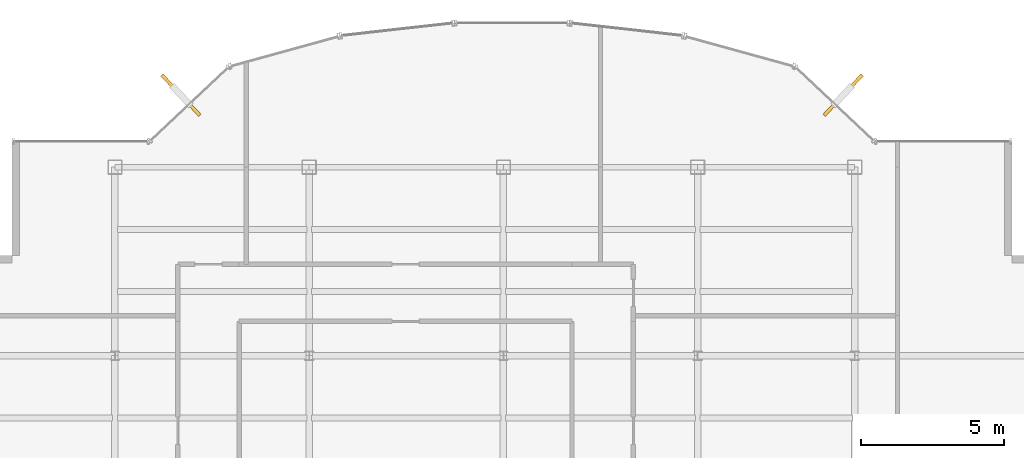
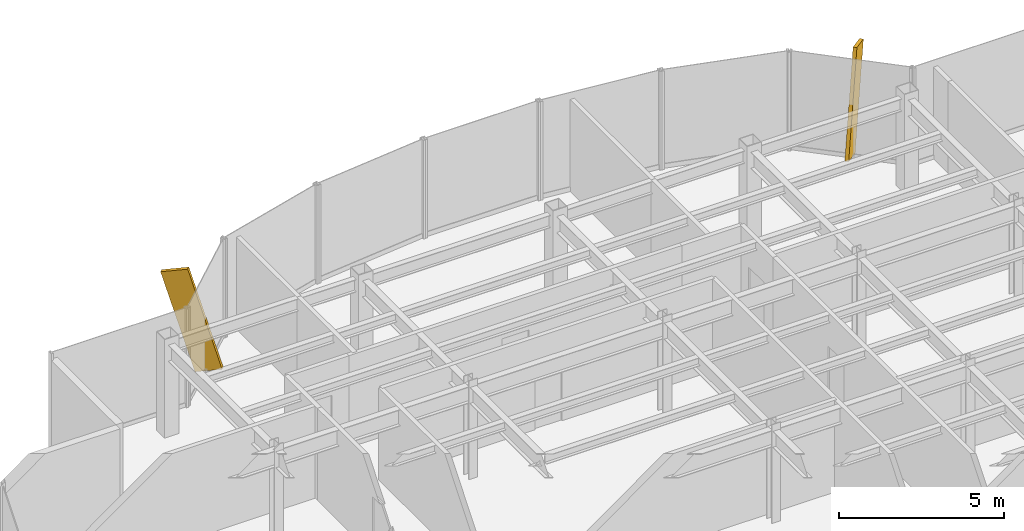
# One storey, part 21 of 22: 2 shading devices.
"""IFC4 building model written with IfcOpenShell, lengths in metres."""

from ifc_helpers import new_model, si_unit, derived_unit, direction, frame, origin, origin_2d, place, context, subcontext, project, spatial, rectangle, extrude, source, transform, mapped, material, type_object, element, save


model = new_model("IFC4")

# Units and contexts
model_context = context("Model", 3, precision=1e-05, world=origin(), true_north=direction((0.0, 1.0)))
body_context = subcontext(model_context, "Body", "Model", "MODEL_VIEW")
ifc_project = project(units=[si_unit("LENGTHUNIT", "METRE"), si_unit("AREAUNIT", "SQUARE_METRE"), si_unit("VOLUMEUNIT", "CUBIC_METRE"), si_unit("PLANEANGLEUNIT", "RADIAN"), si_unit("MASSUNIT", "GRAM", prefix="KILO"), derived_unit("THERMALTRANSMITTANCEUNIT", [(si_unit("POWERUNIT", "WATT"), 1), (si_unit("LENGTHUNIT", "METRE"), -2), (si_unit("THERMODYNAMICTEMPERATUREUNIT", "KELVIN"), -1)])], contexts=[model_context])

# Site, building, storey
site_placement = place(None, origin())
site = spatial("IfcSite", under=ifc_project, at=site_placement, CompositionType="ELEMENT")
building_placement = place(site_placement, origin())
building = spatial("IfcBuilding", under=site, at=building_placement, Name="Skarnbrae Concourse Arena and Tower", CompositionType="ELEMENT")
storey_placement = place(building_placement, frame((0.0, 0.0, 255.14990234375)))
storey = spatial("IfcBuildingStorey", under=building, at=storey_placement, Name="L66", CompositionType="ELEMENT", Elevation=255.14990234375)

# Shading devices
ifc_material = material(Name="Bronze anodised aluminium 6063-T6", Category="aluminium")
shading_device_type = type_object("IfcShadingDeviceType", Name="SHD-BRONZE-FIN-900", PredefinedType="USERDEFINED", material=ifc_material)
shared_shape = source(origin(), body_context, "Body", "SweptSolid", [
    extrude(rectangle(XDim=0.1201171875, YDim=0.89990234375, at=origin_2d()), origin(), (0.0, 0.0, 1.0), 3.64990234375),
])
for number, where, z_axis, x_axis, name in (
    (1, (32.719482421875, 36.522705078125, 0.083251953125), (0.204517004551, 0.217255972062, 0.954448865814), (0.728131751529, -0.685437198009, 0.0), "L66 Outward-leaning bronze shading fin 08"),
    (2, (10.280517578125, 36.522705078125, 0.083251953125), (-0.204517004551, 0.217255972062, 0.954448865814), (0.728131751529, 0.685437198009, 0.0), "L66 Outward-leaning bronze shading fin 14"),
):
    element("IfcShadingDevice", number, at=place(storey_placement, frame(where, z_axis=z_axis, x_axis=x_axis)), inside=storey, type_object=shading_device_type, Name=name, ObjectType="FIN", PredefinedType="USERDEFINED", context=body_context, shape_type="MappedRepresentation", body=[
        mapped(shared_shape, transform((0.0, 0.0, 0.0))),
    ])

save(model, "model.ifc")
